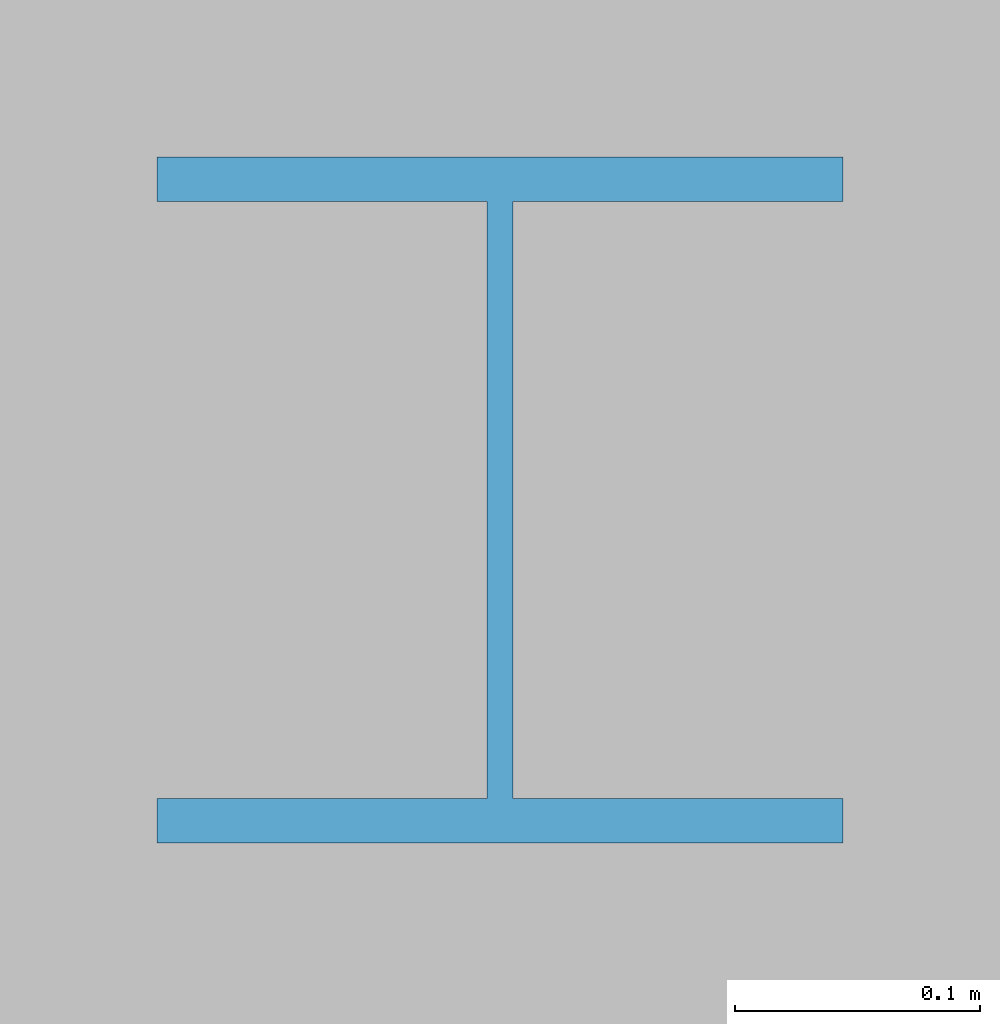
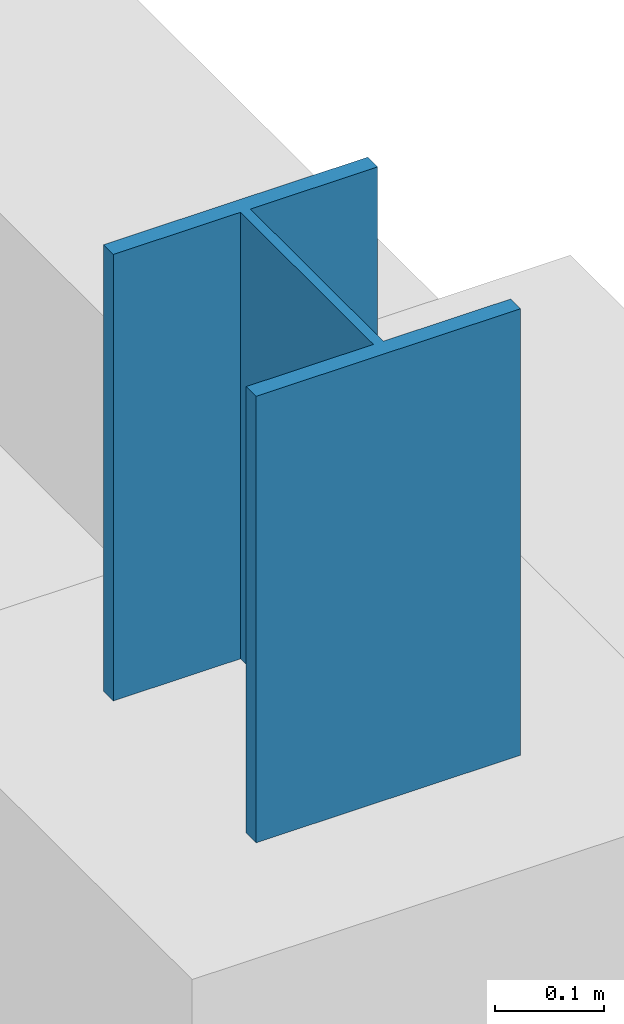
# One storey, part 10 of 97: 1 column.
"""IFC4 building model written with IfcOpenShell, lengths in metres."""

from ifc_helpers import new_model, si_unit, direction, frame, origin, origin_2d, place, context, subcontext, project, spatial, i_section, extrude, material, material_profile, profile_set, type_object, element, save


model = new_model("IFC4")

# Units and contexts
model_context = context("Model", 3, precision=1e-05, world=origin(), true_north=direction((0.0, 1.0)))
body_context = subcontext(model_context, "Body", "Model", "MODEL_VIEW")
ifc_project = project(units=[si_unit("LENGTHUNIT", "METRE"), si_unit("AREAUNIT", "SQUARE_METRE"), si_unit("VOLUMEUNIT", "CUBIC_METRE"), si_unit("PLANEANGLEUNIT", "RADIAN"), si_unit("MASSUNIT", "GRAM", prefix="KILO")], contexts=[model_context])

# Site, building, storey
site_placement = place(None, origin())
site = spatial("IfcSite", under=ifc_project, at=site_placement, CompositionType="ELEMENT")
building_placement = place(site_placement, origin())
building = spatial("IfcBuilding", under=site, at=building_placement, Name="Lykobir Media Centre", CompositionType="ELEMENT")
storey_placement = place(building_placement, frame((0.0, 0.0, 23.39990234375)))
storey = spatial("IfcBuildingStorey", under=building, at=storey_placement, Name="L05", CompositionType="ELEMENT", Elevation=23.39990234375)

# Column
ifc_material = material(Name="Steel S355", Category="steel")
ifc_material_profile = material_profile(ifc_material, i_section(OverallWidth=0.280029296875, OverallDepth=0.280029296875, WebThickness=0.010498046875, FlangeThickness=0.01806640625, at=origin_2d()), Name="HEB 280")
ifc_profile_set = profile_set([ifc_material_profile], Name="Steel S355")
column_type = type_object("IfcColumnType", Name="SC-HEB280", PredefinedType="COLUMN", material=ifc_profile_set)
column_placement = place(storey_placement, frame((45.0, 63.0, 4.2001953125), z_axis=(0.0, 0.0, 1.0), x_axis=(1.0, 0.0, 0.0)))
element("IfcColumn", 1, at=column_placement, inside=storey, type_object=column_type, Name="V6 roof portal post 45-63", PredefinedType="COLUMN", context=body_context, shape_type="SweptSolid", body=[
    extrude(i_section(OverallWidth=0.280029296875, OverallDepth=0.280029296875, WebThickness=0.010498046875, FlangeThickness=0.01806640625, at=origin_2d()), origin(), (0.0, 0.0, 1.0), 0.5),
])

save(model, "model.ifc")
